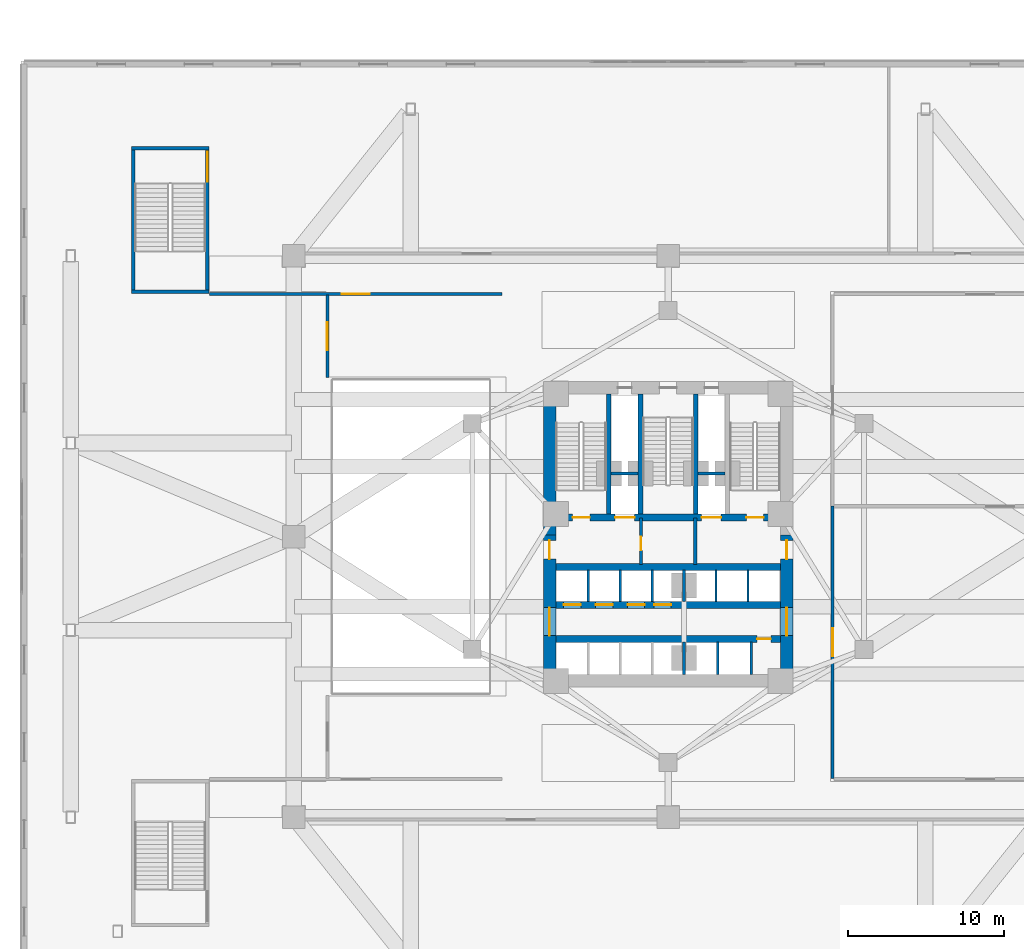
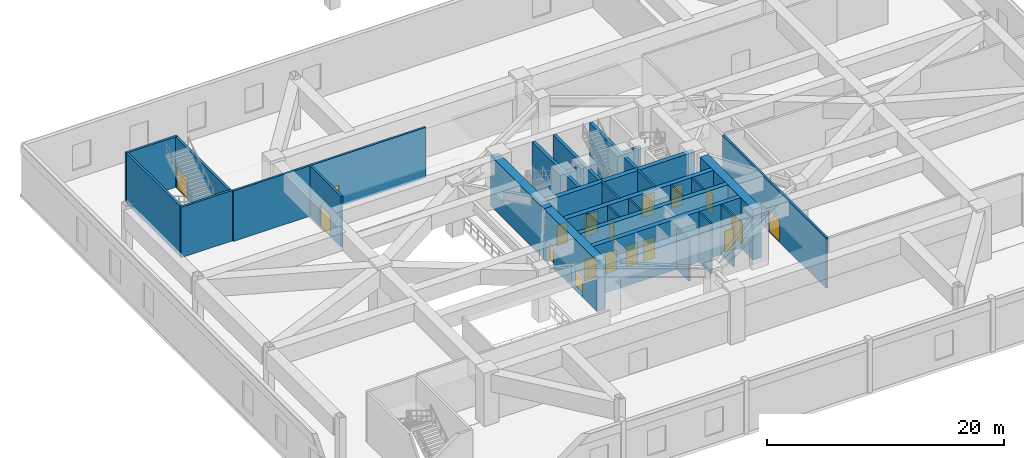
# One storey, part 11 of 23: 30 walls, 18 doors, 18 openings.
"""IFC4 building model written with IfcOpenShell, lengths in metres."""

from ifc_helpers import new_model, si_unit, direction, frame, frame_2d, origin, place, context, subcontext, project, spatial, rectangle, extrude, material, layer, layer_set, type_object, element, fill, save


model = new_model("IFC4")

# Units and contexts
model_context = context("Model", 3, precision=1e-05, world=origin(), true_north=direction((0.0, 1.0)))
body_context = subcontext(model_context, "Body", "Model", "MODEL_VIEW")
ifc_project = project(units=[si_unit("LENGTHUNIT", "METRE"), si_unit("AREAUNIT", "SQUARE_METRE"), si_unit("VOLUMEUNIT", "CUBIC_METRE"), si_unit("PLANEANGLEUNIT", "RADIAN"), si_unit("MASSUNIT", "GRAM", prefix="KILO")], contexts=[model_context])

# Site, building, storey
site_placement = place(None, origin())
site = spatial("IfcSite", under=ifc_project, at=site_placement, CompositionType="ELEMENT")
building_placement = place(site_placement, origin())
building = spatial("IfcBuilding", under=site, at=building_placement, Name="Apsidion Concourse Tower", CompositionType="ELEMENT")
storey_placement = place(building_placement, frame((0.0, 0.0, 6.0)))
storey = spatial("IfcBuildingStorey", under=building, at=storey_placement, Name="L01", CompositionType="ELEMENT", Elevation=6.0)

# Walls
ifc_material_1 = material(Name="Gypsum plasterboard partition")
ifc_layer_1 = layer(ifc_material_1, 0.14990234375)
ifc_layer_set_1 = layer_set([ifc_layer_1], Name="Gypsum plasterboard partition")
wall_type_1 = type_object("IfcWallType", Name="WL-INT-PAR-150", PredefinedType="PARTITIONING", material=ifc_layer_set_1)
for number, where, z_axis, x_axis, name in (
    (1, (-5.125, -4.179931640625, 0.0), (0.0, 0.0, 1.0), (0.0, 1.0, 0.0), "L01 Interior Partition WL-L01-B1DIV-1"),
    (2, (-3.074951171875, -4.179931640625, 0.0), (0.0, 0.0, 1.0), (0.0, 1.0, 0.0), "L01 Interior Partition WL-L01-B1DIV-2"),
    (3, (-1.02490234375, -4.179931640625, 0.0), (0.0, 0.0, 1.0), (0.0, 1.0, 0.0), "L01 Interior Partition WL-L01-B1DIV-3"),
    (4, (3.074951171875, -4.179931640625, 0.0), (0.0, 0.0, 1.0), (0.0, 1.0, 0.0), "L01 Interior Partition WL-L01-B3DIV-1"),
    (5, (5.125, -4.179931640625, 0.0), (0.0, 0.0, 1.0), (0.0, 1.0, 0.0), "L01 Interior Partition WL-L01-B3DIV-2"),
):
    element("IfcWall", number, at=place(storey_placement, frame(where, z_axis=z_axis, x_axis=x_axis)), inside=storey, type_object=wall_type_1, Name=name, PredefinedType="PARTITIONING", context=body_context, shape_type="SweptSolid", body=[
        extrude(rectangle(XDim=2.030029296875, YDim=0.14990234375, at=frame_2d((1.01513671875, 0.0))), origin(), (0.0, 0.0, 1.0), 5.199951171875),
    ])
wall_1_placement = place(storey_placement, frame((3.175048828125, -8.85009765625, 0.0), z_axis=(0.0, 0.0, 1.0), x_axis=(0.0, 1.0, 0.0)))
element("IfcWall", 6, at=wall_1_placement, inside=storey, type_object=wall_type_1, Name="L01 Interior Partition WL-L01-SHDIV-1", PredefinedType="PARTITIONING", context=body_context, shape_type="SweptSolid", body=[
    extrude(rectangle(XDim=2.080078125, YDim=0.14990234375, at=frame_2d((1.0400390625, 0.0))), origin(), (0.0, 0.0, 1.0), 5.199951171875),
])
ifc_layer_2 = layer(ifc_material_1, 0.179931640625)
ifc_layer_set_2 = layer_set([ifc_layer_2], Name="Gypsum plasterboard partition")
wall_type_2 = type_object("IfcWallType", Name="WL-INT-PAR-180", PredefinedType="PARTITIONING", material=ifc_layer_set_2)
wall_2_placement = place(storey_placement, frame((1.02490234375, -4.179931640625, 0.0), z_axis=(0.0, 0.0, 1.0), x_axis=(0.0, 1.0, 0.0)))
element("IfcWall", 7, at=wall_2_placement, inside=storey, type_object=wall_type_2, Name="L01 Interior Partition WL-L01-B1END", PredefinedType="PARTITIONING", context=body_context, shape_type="SweptSolid", body=[
    extrude(rectangle(XDim=2.030029296875, YDim=0.179931640625, at=frame_2d((1.01513671875, 0.0))), origin(), (0.0, 0.0, 1.0), 4.248046875),
])
wall_3_placement = place(storey_placement, frame((1.02490234375, -8.85009765625, 0.0), z_axis=(0.0, 0.0, 1.0), x_axis=(0.0, 1.0, 0.0)))
element("IfcWall", 8, at=wall_3_placement, inside=storey, type_object=wall_type_2, Name="L01 Interior Partition WL-L01-B2END", PredefinedType="PARTITIONING", context=body_context, shape_type="SweptSolid", body=[
    extrude(rectangle(XDim=2.080078125, YDim=0.179931640625, at=frame_2d((1.0400390625, 0.0))), origin(), (0.0, 0.0, 1.0), 4.248046875),
])
wall_4_placement = place(storey_placement, frame((5.324951171875, -8.85009765625, 0.0), z_axis=(0.0, 0.0, 1.0), x_axis=(0.0, 1.0, 0.0)))
element("IfcWall", 9, at=wall_4_placement, inside=storey, type_object=wall_type_2, Name="L01 Interior Partition WL-L01-SHDIV-2", PredefinedType="PARTITIONING", context=body_context, shape_type="SweptSolid", body=[
    extrude(rectangle(XDim=2.080078125, YDim=0.179931640625, at=frame_2d((1.0400390625, 0.0))), origin(), (0.0, 0.0, 1.0), 5.199951171875),
])
ifc_layer_3 = layer(ifc_material_1, 0.199951171875)
ifc_layer_set_3 = layer_set([ifc_layer_3], Name="Gypsum plasterboard partition")
wall_type_3 = type_object("IfcWallType", Name="WL-INT-PAR-200", PredefinedType="PARTITIONING", material=ifc_layer_set_3)
for number, where, z_axis, x_axis, name in (
    (10, (-3.64990234375, 4.050048828125, 0.0), (0.0, 0.0, 1.0), (1.0, 0.0, 0.0), "L01 Interior Partition WL-L01-FF1-N"),
    (11, (1.919921875, 4.050048828125, 0.0), (0.0, 0.0, 1.0), (1.0, 0.0, 0.0), "L01 Interior Partition WL-L01-FF2-N"),
):
    element("IfcWall", number, at=place(storey_placement, frame(where, z_axis=z_axis, x_axis=x_axis)), inside=storey, type_object=wall_type_3, Name=name, PredefinedType="PARTITIONING", context=body_context, shape_type="SweptSolid", body=[
        extrude(rectangle(XDim=1.72998046875, YDim=0.199951171875, at=frame_2d((0.864990234375, 0.0))), origin(), (0.0, 0.0, 1.0), 5.199951171875),
    ])

# Wall, opening, door
wall_5_placement = place(storey_placement, frame((-1.739990234375, -1.780029296875, 0.0), z_axis=(0.0, 0.0, 1.0), x_axis=(0.0, 1.0, 0.0)))
wall_5 = element("IfcWall", 12, at=wall_5_placement, inside=storey, type_object=wall_type_3, Name="L01 Interior Partition WL-L01-FF1-E", PredefinedType="PARTITIONING", context=body_context, shape_type="SweptSolid", body=[
    extrude(rectangle(XDim=2.97998046875, YDim=0.199951171875, at=frame_2d((1.489990234375, 0.0))), origin(), (0.0, 0.0, 1.0), 5.199951171875),
])
opening_1_placement = place(wall_5_placement, frame((0.889892578125, 0.0, 0.0)))
opening_1 = element("IfcOpeningElement", 13, at=opening_1_placement, cuts=wall_5, Name="Opening D-05R", PredefinedType="OPENING", context=body_context, shape_type="SweptSolid", body=[
    extrude(rectangle(XDim=0.8798828125, YDim=2.14990234375, at=frame_2d((0.43994140625, 1.074951171875))), frame((0.0, 0.10986328125, 0.0), z_axis=(0.0, -1.0, 0.0), x_axis=(1.0, 0.0, 0.0)), (0.0, 0.0, 1.0), 0.219970703125),
])
ifc_material_2 = material(Name="Brushed stainless steel 316", Category="steel")
door_type_1 = type_object("IfcDoorType", Name="DR-INT-D05R", OperationType="SINGLE_SWING_RIGHT", PredefinedType="DOOR", material=ifc_material_2)
door_1_placement = place(opening_1_placement, origin())
door_1 = element("IfcDoor", 14, at=door_1_placement, inside=storey, type_object=door_type_1, Name="L01 Core BMS Door", OperationType="SINGLE_SWING_RIGHT", OverallHeight=2.14990234375, OverallWidth=0.8798828125, PredefinedType="DOOR", context=body_context, shape_type="SweptSolid", body=[
    extrude(rectangle(XDim=0.8798828125, YDim=2.14990234375, at=frame_2d((0.43994140625, 1.074951171875))), frame((0.0, 0.02490234375, 0.0), z_axis=(0.0, -1.0, 0.0), x_axis=(1.0, 0.0, 0.0)), (0.0, 0.0, 1.0), 0.050048828125),
])
fill(opening_1, door_1)

# Wall
wall_6_placement = place(storey_placement, frame((1.739990234375, -1.780029296875, 0.0), z_axis=(0.0, 0.0, 1.0), x_axis=(0.0, 1.0, 0.0)))
element("IfcWall", 15, at=wall_6_placement, inside=storey, type_object=wall_type_3, Name="L01 Interior Partition WL-L01-FF2-W", PredefinedType="PARTITIONING", context=body_context, shape_type="SweptSolid", body=[
    extrude(rectangle(XDim=2.97998046875, YDim=0.199951171875, at=frame_2d((1.489990234375, 0.0))), origin(), (0.0, 0.0, 1.0), 5.199951171875),
])

# Wall, opening, door
wall_7_placement = place(storey_placement, frame((-21.85009765625, 10.199951171875, 0.0), z_axis=(0.0, 0.0, 1.0), x_axis=(0.0, 1.0, 0.0)))
wall_7 = element("IfcWall", 16, at=wall_7_placement, inside=storey, type_object=wall_type_3, Name="L01 Interior Partition WL-L01-W2", PredefinedType="PARTITIONING", context=body_context, shape_type="SweptSolid", body=[
    extrude(rectangle(XDim=5.300048828125, YDim=0.199951171875, at=frame_2d((2.64990234375, 0.0))), origin(), (0.0, 0.0, 1.0), 5.199951171875),
])
opening_2_placement = place(wall_7_placement, frame((1.75, 0.0, 0.0)))
opening_2 = element("IfcOpeningElement", 17, at=opening_2_placement, cuts=wall_7, Name="Opening D-06D", PredefinedType="OPENING", context=body_context, shape_type="SweptSolid", body=[
    extrude(rectangle(XDim=1.800048828125, YDim=2.199951171875, at=frame_2d((0.89990234375, 1.10009765625))), frame((0.0, 0.10986328125, 0.0), z_axis=(0.0, -1.0, 0.0), x_axis=(1.0, 0.0, 0.0)), (0.0, 0.0, 1.0), 0.219970703125),
])
door_type_2 = type_object("IfcDoorType", Name="DR-INT-D06D", OperationType="DOUBLE_DOOR_SINGLE_SWING", PredefinedType="DOOR", material=ifc_material_2)
door_2_placement = place(opening_2_placement, origin())
door_2 = element("IfcDoor", 18, at=door_2_placement, inside=storey, type_object=door_type_2, Name="L01 Convention Door WL-L01-W2", OperationType="DOUBLE_DOOR_SINGLE_SWING", OverallHeight=2.199951171875, OverallWidth=1.800048828125, PredefinedType="DOOR", context=body_context, shape_type="SweptSolid", body=[
    extrude(rectangle(XDim=1.800048828125, YDim=2.199951171875, at=frame_2d((0.89990234375, 1.10009765625))), frame((0.0, 0.02490234375, 0.0), z_axis=(0.0, -1.0, 0.0), x_axis=(1.0, 0.0, 0.0)), (0.0, 0.0, 1.0), 0.050048828125),
])
fill(opening_2, door_2)

wall_8_placement = place(storey_placement, frame((10.550048828125, -15.5, 0.0), z_axis=(0.0, 0.0, 1.0), x_axis=(0.0, 1.0, 0.0)))
wall_8 = element("IfcWall", 19, at=wall_8_placement, inside=storey, type_object=wall_type_3, Name="L01 Interior Partition WL-L01-E1", PredefinedType="PARTITIONING", context=body_context, shape_type="SweptSolid", body=[
    extrude(rectangle(XDim=17.449951171875, YDim=0.199951171875, at=frame_2d((8.72509765625, 0.0))), origin(), (0.0, 0.0, 1.0), 5.199951171875),
])
opening_3_placement = place(wall_8_placement, frame((7.824951171875, 0.0, 0.0)))
opening_3 = element("IfcOpeningElement", 20, at=opening_3_placement, cuts=wall_8, Name="Opening D-06D", PredefinedType="OPENING", context=body_context, shape_type="SweptSolid", body=[
    extrude(rectangle(XDim=1.800048828125, YDim=2.199951171875, at=frame_2d((0.89990234375, 1.10009765625))), frame((0.0, 0.10986328125, 0.0), z_axis=(0.0, -1.0, 0.0), x_axis=(1.0, 0.0, 0.0)), (0.0, 0.0, 1.0), 0.219970703125),
])
door_3_placement = place(opening_3_placement, origin())
door_3 = element("IfcDoor", 21, at=door_3_placement, inside=storey, type_object=door_type_2, Name="L01 Convention Door WL-L01-E1", OperationType="DOUBLE_DOOR_SINGLE_SWING", OverallHeight=2.199951171875, OverallWidth=1.800048828125, PredefinedType="DOOR", context=body_context, shape_type="SweptSolid", body=[
    extrude(rectangle(XDim=1.800048828125, YDim=2.199951171875, at=frame_2d((0.89990234375, 1.10009765625))), frame((0.0, 0.02490234375, 0.0), z_axis=(0.0, -1.0, 0.0), x_axis=(1.0, 0.0, 0.0)), (0.0, 0.0, 1.0), 0.050048828125),
])
fill(opening_3, door_3)

wall_9_placement = place(storey_placement, frame((-29.39990234375, 15.550048828125, 0.0), z_axis=(0.0, 0.0, 1.0), x_axis=(1.0, 0.0, 0.0)))
wall_9 = element("IfcWall", 22, at=wall_9_placement, inside=storey, type_object=wall_type_3, Name="L01 Interior Partition WL-L01-N1", PredefinedType="PARTITIONING", context=body_context, shape_type="SweptSolid", body=[
    extrude(rectangle(XDim=18.75, YDim=0.199951171875, at=frame_2d((9.375, 0.0))), origin(), (0.0, 0.0, 1.0), 5.199951171875),
])
opening_4_placement = place(wall_9_placement, frame((8.47509765625, 0.0, 0.0)))
opening_4 = element("IfcOpeningElement", 23, at=opening_4_placement, cuts=wall_9, Name="Opening D-06D", PredefinedType="OPENING", context=body_context, shape_type="SweptSolid", body=[
    extrude(rectangle(XDim=1.800048828125, YDim=2.199951171875, at=frame_2d((0.89990234375, 1.10009765625))), frame((0.0, 0.10986328125, 0.0), z_axis=(0.0, -1.0, 0.0), x_axis=(1.0, 0.0, 0.0)), (0.0, 0.0, 1.0), 0.219970703125),
])
door_4_placement = place(opening_4_placement, origin())
door_4 = element("IfcDoor", 24, at=door_4_placement, inside=storey, type_object=door_type_2, Name="L01 Convention Door WL-L01-N1", OperationType="DOUBLE_DOOR_SINGLE_SWING", OverallHeight=2.199951171875, OverallWidth=1.800048828125, PredefinedType="DOOR", context=body_context, shape_type="SweptSolid", body=[
    extrude(rectangle(XDim=1.800048828125, YDim=2.199951171875, at=frame_2d((0.89990234375, 1.10009765625))), frame((0.0, 0.02490234375, 0.0), z_axis=(0.0, -1.0, 0.0), x_axis=(1.0, 0.0, 0.0)), (0.0, 0.0, 1.0), 0.050048828125),
])
fill(opening_4, door_4)

# Walls
ifc_material_3 = material(Name="Concrete C50/60", Category="concrete")
ifc_layer_4 = layer(ifc_material_3, 0.219970703125)
ifc_layer_set_4 = layer_set([ifc_layer_4], Name="Concrete C50/60")
wall_type_4 = type_object("IfcWallType", Name="WL-SH-220", PredefinedType="SHEAR", material=ifc_layer_set_4)
for number, where, z_axis, x_axis, name in (
    (25, (-34.419921875, 15.68994140625, 0.0), (0.0, 0.0, 1.0), (1.0, 0.0, 0.0), "L01 Podium Stair ST-P3 Core Shear Wall S"),
    (26, (-34.419921875, 24.909912109375, 0.0), (0.0, 0.0, 1.0), (1.0, 0.0, 0.0), "L01 Podium Stair ST-P3 Core Shear Wall N"),
):
    element("IfcWall", number, at=place(storey_placement, frame(where, z_axis=z_axis, x_axis=x_axis)), inside=storey, type_object=wall_type_4, Name=name, PredefinedType="SHEAR", context=body_context, shape_type="SweptSolid", body=[
        extrude(rectangle(XDim=4.989990234375, YDim=0.219970703125, at=frame_2d((2.4951171875, 0.0))), origin(), (0.0, 0.0, 1.0), 5.199951171875),
    ])
wall_10_placement = place(storey_placement, frame((-34.31005859375, 15.800048828125, 0.0), z_axis=(0.0, 0.0, 1.0), x_axis=(0.0, 1.0, 0.0)))
element("IfcWall", 27, at=wall_10_placement, inside=storey, type_object=wall_type_4, Name="L01 Podium Stair ST-P3 Core Shear Wall W", PredefinedType="SHEAR", context=body_context, shape_type="SweptSolid", body=[
    extrude(rectangle(XDim=9.0, YDim=0.219970703125, at=frame_2d((4.5, 0.0))), origin(), (0.0, 0.0, 1.0), 5.199951171875),
])

# Wall, opening, door
wall_11_placement = place(storey_placement, frame((-29.5400390625, 15.800048828125, 0.0), z_axis=(0.0, 0.0, 1.0), x_axis=(0.0, 1.0, 0.0)))
wall_11 = element("IfcWall", 28, at=wall_11_placement, inside=storey, type_object=wall_type_4, Name="L01 Podium Stair ST-P3 Core Shear Wall E", PredefinedType="SHEAR", context=body_context, shape_type="SweptSolid", body=[
    extrude(rectangle(XDim=9.0, YDim=0.219970703125, at=frame_2d((4.5, 0.0))), origin(), (0.0, 0.0, 1.0), 5.199951171875),
])
opening_5_placement = place(wall_11_placement, frame((6.9599609375, 0.0, 0.0)))
opening_5 = element("IfcOpeningElement", 29, at=opening_5_placement, cuts=wall_11, Name="Opening D-07D", PredefinedType="OPENING", context=body_context, shape_type="SweptSolid", body=[
    extrude(rectangle(XDim=1.89990234375, YDim=2.199951171875, at=frame_2d((0.949951171875, 1.10009765625))), frame((0.0, 0.1201171875, 0.0), z_axis=(0.0, -1.0, 0.0), x_axis=(1.0, 0.0, 0.0)), (0.0, 0.0, 1.0), 0.239990234375),
])
door_type_3 = type_object("IfcDoorType", Name="DR-INT-D07D", OperationType="DOUBLE_DOOR_SINGLE_SWING", PredefinedType="DOOR", material=ifc_material_2)
door_5_placement = place(opening_5_placement, origin())
door_5 = element("IfcDoor", 30, at=door_5_placement, inside=storey, type_object=door_type_3, Name="L01 Podium Exit Stair ST-P3 Entry Door", OperationType="DOUBLE_DOOR_SINGLE_SWING", OverallHeight=2.199951171875, OverallWidth=1.89990234375, PredefinedType="DOOR", context=body_context, shape_type="SweptSolid", body=[
    extrude(rectangle(XDim=1.89990234375, YDim=2.199951171875, at=frame_2d((0.949951171875, 1.10009765625))), frame((0.0, 0.02490234375, 0.0), z_axis=(0.0, -1.0, 0.0), x_axis=(1.0, 0.0, 0.0)), (0.0, 0.0, 1.0), 0.050048828125),
])
fill(opening_5, door_5)

# Walls
ifc_layer_5 = layer(ifc_material_3, 0.300048828125)
ifc_layer_set_5 = layer_set([ifc_layer_5], Name="Concrete C50/60")
wall_type_5 = type_object("IfcWallType", Name="WL-SH-300", PredefinedType="SHEAR", material=ifc_layer_set_5)
for number, where, z_axis, x_axis, name in (
    (31, (-3.800048828125, 1.449951171875, 0.0), (0.0, 0.0, 1.0), (0.0, 1.0, 0.0), "L01 Central Core Shear Wall V1"),
    (32, (-1.77490234375, 1.449951171875, 0.0), (0.0, 0.0, 1.0), (0.0, 1.0, 0.0), "L01 Central Core Shear Wall V2"),
    (33, (1.77490234375, 1.449951171875, 0.0), (0.0, 0.0, 1.0), (0.0, 1.0, 0.0), "L01 Central Core Shear Wall V3"),
):
    element("IfcWall", number, at=place(storey_placement, frame(where, z_axis=z_axis, x_axis=x_axis)), inside=storey, type_object=wall_type_5, Name=name, PredefinedType="SHEAR", context=body_context, shape_type="SweptSolid", body=[
        extrude(rectangle(XDim=7.699951171875, YDim=0.300048828125, at=frame_2d((3.85009765625, 0.0))), origin(), (0.0, 0.0, 1.0), 5.199951171875),
    ])

# Wall, openings, doors
ifc_material_4 = material(Name="Concrete C60/75", Category="concrete")
ifc_layer_6 = layer(ifc_material_4, 0.449951171875)
ifc_layer_set_6 = layer_set([ifc_layer_6], Name="Concrete C60/75")
wall_type_6 = type_object("IfcWallType", Name="WL-SH-450", PredefinedType="SHEAR", material=ifc_layer_set_6)
wall_12_placement = place(storey_placement, frame((-7.199951171875, 1.22509765625, 0.0), z_axis=(0.0, 0.0, 1.0), x_axis=(1.0, 0.0, 0.0)))
wall_12 = element("IfcWall", 34, at=wall_12_placement, inside=storey, type_object=wall_type_6, Name="L01 Central Core Shear Wall M1", PredefinedType="SHEAR", context=body_context, shape_type="SweptSolid", body=[
    extrude(rectangle(XDim=14.39990234375, YDim=0.449951171875, at=frame_2d((7.199951171875, 0.0))), origin(), (0.0, 0.0, 1.0), 5.199951171875),
])
opening_6_placement = place(wall_12_placement, frame((3.794921875, 0.0, 0.0)))
opening_6 = element("IfcOpeningElement", 35, at=opening_6_placement, cuts=wall_12, Name="Opening LD-FF", PredefinedType="OPENING", context=body_context, shape_type="SweptSolid", body=[
    extrude(rectangle(XDim=1.25, YDim=2.25, at=frame_2d((0.625, 1.125))), frame((0.0, 0.23486328125, 0.0), z_axis=(0.0, -1.0, 0.0), x_axis=(1.0, 0.0, 0.0)), (0.0, 0.0, 1.0), 0.469970703125),
])
opening_7_placement = place(wall_12_placement, frame((9.35498046875, 0.0, 0.0)))
opening_7 = element("IfcOpeningElement", 36, at=opening_7_placement, cuts=wall_12, Name="Opening LD-FF", PredefinedType="OPENING", context=body_context, shape_type="SweptSolid", body=[
    extrude(rectangle(XDim=1.25, YDim=2.25, at=frame_2d((0.625, 1.125))), frame((0.0, 0.23486328125, 0.0), z_axis=(0.0, -1.0, 0.0), x_axis=(1.0, 0.0, 0.0)), (0.0, 0.0, 1.0), 0.469970703125),
])
opening_8_placement = place(wall_12_placement, frame((1.074951171875, 0.0, 0.0)))
opening_8 = element("IfcOpeningElement", 37, at=opening_8_placement, cuts=wall_12, Name="Opening D-STL", PredefinedType="OPENING", context=body_context, shape_type="SweptSolid", body=[
    extrude(rectangle(XDim=1.10009765625, YDim=2.14990234375, at=frame_2d((0.550048828125, 1.074951171875))), frame((0.0, 0.23486328125, 0.0), z_axis=(0.0, -1.0, 0.0), x_axis=(1.0, 0.0, 0.0)), (0.0, 0.0, 1.0), 0.469970703125),
])
opening_9_placement = place(wall_12_placement, frame((12.22509765625, 0.0, 0.0)))
opening_9 = element("IfcOpeningElement", 38, at=opening_9_placement, cuts=wall_12, Name="Opening D-STR", PredefinedType="OPENING", context=body_context, shape_type="SweptSolid", body=[
    extrude(rectangle(XDim=1.10009765625, YDim=2.14990234375, at=frame_2d((0.550048828125, 1.074951171875))), frame((0.0, 0.23486328125, 0.0), z_axis=(0.0, -1.0, 0.0), x_axis=(1.0, 0.0, 0.0)), (0.0, 0.0, 1.0), 0.469970703125),
])
door_type_4 = type_object("IfcDoorType", Name="DR-INT-ST1L", OperationType="SINGLE_SWING_LEFT", PredefinedType="DOOR", material=ifc_material_2)
door_6_placement = place(opening_8_placement, origin())
door_6 = element("IfcDoor", 39, at=door_6_placement, inside=storey, type_object=door_type_4, Name="L01 Core Exit Stair ST1 Door", OperationType="SINGLE_SWING_LEFT", OverallHeight=2.14990234375, OverallWidth=1.10009765625, PredefinedType="DOOR", context=body_context, shape_type="SweptSolid", body=[
    extrude(rectangle(XDim=1.10009765625, YDim=2.14990234375, at=frame_2d((0.550048828125, 1.074951171875))), frame((0.0, 0.02490234375, 0.0), z_axis=(0.0, -1.0, 0.0), x_axis=(1.0, 0.0, 0.0)), (0.0, 0.0, 1.0), 0.050048828125),
])
fill(opening_8, door_6)
door_type_5 = type_object("IfcDoorType", Name="DR-INT-ST1R", OperationType="SINGLE_SWING_RIGHT", PredefinedType="DOOR", material=ifc_material_2)
door_7_placement = place(opening_9_placement, origin())
door_7 = element("IfcDoor", 40, at=door_7_placement, inside=storey, type_object=door_type_5, Name="L01 Core Exit Stair ST2 Door", OperationType="SINGLE_SWING_RIGHT", OverallHeight=2.14990234375, OverallWidth=1.10009765625, PredefinedType="DOOR", context=body_context, shape_type="SweptSolid", body=[
    extrude(rectangle(XDim=1.10009765625, YDim=2.14990234375, at=frame_2d((0.550048828125, 1.074951171875))), frame((0.0, 0.02490234375, 0.0), z_axis=(0.0, -1.0, 0.0), x_axis=(1.0, 0.0, 0.0)), (0.0, 0.0, 1.0), 0.050048828125),
])
fill(opening_9, door_7)
door_type_6 = type_object("IfcDoorType", Name="DR-LD-FSAE", OperationType="DOUBLE_DOOR_SLIDING", PredefinedType="DOOR", material=ifc_material_2)
door_8_placement = place(opening_6_placement, origin())
door_8 = element("IfcDoor", 41, at=door_8_placement, inside=storey, type_object=door_type_6, Name="L01 Lift Landing Door FF1", OperationType="DOUBLE_DOOR_SLIDING", OverallHeight=2.25, OverallWidth=1.25, PredefinedType="DOOR", context=body_context, shape_type="SweptSolid", body=[
    extrude(rectangle(XDim=1.25, YDim=2.25, at=frame_2d((0.625, 1.125))), frame((0.0, 0.02490234375, 0.0), z_axis=(0.0, -1.0, 0.0), x_axis=(1.0, 0.0, 0.0)), (0.0, 0.0, 1.0), 0.050048828125),
])
fill(opening_6, door_8)
door_9_placement = place(opening_7_placement, origin())
door_9 = element("IfcDoor", 42, at=door_9_placement, inside=storey, type_object=door_type_6, Name="L01 Lift Landing Door FF2", OperationType="DOUBLE_DOOR_SLIDING", OverallHeight=2.25, OverallWidth=1.25, PredefinedType="DOOR", context=body_context, shape_type="SweptSolid", body=[
    extrude(rectangle(XDim=1.25, YDim=2.25, at=frame_2d((0.625, 1.125))), frame((0.0, 0.02490234375, 0.0), z_axis=(0.0, -1.0, 0.0), x_axis=(1.0, 0.0, 0.0)), (0.0, 0.0, 1.0), 0.050048828125),
])
fill(opening_7, door_9)

# Wall
wall_13_placement = place(storey_placement, frame((-7.199951171875, -1.949951171875, 0.0), z_axis=(0.0, 0.0, 1.0), x_axis=(1.0, 0.0, 0.0)))
element("IfcWall", 43, at=wall_13_placement, inside=storey, type_object=wall_type_6, Name="L01 Central Core Shear Wall M2", PredefinedType="SHEAR", context=body_context, shape_type="SweptSolid", body=[
    extrude(rectangle(XDim=14.39990234375, YDim=0.449951171875, at=frame_2d((7.199951171875, 0.0))), origin(), (0.0, 0.0, 1.0), 5.199951171875),
])

# Wall, openings, doors
wall_14_placement = place(storey_placement, frame((-7.199951171875, -4.3798828125, 0.0), z_axis=(0.0, 0.0, 1.0), x_axis=(1.0, 0.0, 0.0)))
wall_14 = element("IfcWall", 44, at=wall_14_placement, inside=storey, type_object=wall_type_6, Name="L01 Central Core Shear Wall LA", PredefinedType="SHEAR", context=body_context, shape_type="SweptSolid", body=[
    extrude(rectangle(XDim=14.39990234375, YDim=0.449951171875, at=frame_2d((7.199951171875, 0.0))), origin(), (0.0, 0.0, 1.0), 5.199951171875),
])
opening_10_placement = place(wall_14_placement, frame((0.5, 0.0, 0.0)))
opening_10 = element("IfcOpeningElement", 45, at=opening_10_placement, cuts=wall_14, Name="Opening LD-P1", PredefinedType="OPENING", context=body_context, shape_type="SweptSolid", body=[
    extrude(rectangle(XDim=1.10009765625, YDim=2.199951171875, at=frame_2d((0.550048828125, 1.10009765625))), frame((0.0, 0.23486328125, 0.0), z_axis=(0.0, -1.0, 0.0), x_axis=(1.0, 0.0, 0.0)), (0.0, 0.0, 1.0), 0.469970703125),
])
opening_11_placement = place(wall_14_placement, frame((2.550048828125, 0.0, 0.0)))
opening_11 = element("IfcOpeningElement", 46, at=opening_11_placement, cuts=wall_14, Name="Opening LD-P1", PredefinedType="OPENING", context=body_context, shape_type="SweptSolid", body=[
    extrude(rectangle(XDim=1.10009765625, YDim=2.199951171875, at=frame_2d((0.550048828125, 1.10009765625))), frame((0.0, 0.23486328125, 0.0), z_axis=(0.0, -1.0, 0.0), x_axis=(1.0, 0.0, 0.0)), (0.0, 0.0, 1.0), 0.469970703125),
])
opening_12_placement = place(wall_14_placement, frame((4.60009765625, 0.0, 0.0)))
opening_12 = element("IfcOpeningElement", 47, at=opening_12_placement, cuts=wall_14, Name="Opening LD-P1", PredefinedType="OPENING", context=body_context, shape_type="SweptSolid", body=[
    extrude(rectangle(XDim=1.10009765625, YDim=2.199951171875, at=frame_2d((0.550048828125, 1.10009765625))), frame((0.0, 0.23486328125, 0.0), z_axis=(0.0, -1.0, 0.0), x_axis=(1.0, 0.0, 0.0)), (0.0, 0.0, 1.0), 0.469970703125),
])
opening_13_placement = place(wall_14_placement, frame((6.300048828125, 0.0, 0.0)))
opening_13 = element("IfcOpeningElement", 48, at=opening_13_placement, cuts=wall_14, Name="Opening LD-P1", PredefinedType="OPENING", context=body_context, shape_type="SweptSolid", body=[
    extrude(rectangle(XDim=1.10009765625, YDim=2.199951171875, at=frame_2d((0.550048828125, 1.10009765625))), frame((0.0, 0.23486328125, 0.0), z_axis=(0.0, -1.0, 0.0), x_axis=(1.0, 0.0, 0.0)), (0.0, 0.0, 1.0), 0.469970703125),
])
door_type_7 = type_object("IfcDoorType", Name="DR-LD-PASS", OperationType="DOUBLE_DOOR_SLIDING", PredefinedType="DOOR", material=ifc_material_2)
door_10_placement = place(opening_10_placement, origin())
door_10 = element("IfcDoor", 49, at=door_10_placement, inside=storey, type_object=door_type_7, Name="L01 Lift Landing Door P1", OperationType="DOUBLE_DOOR_SLIDING", OverallHeight=2.199951171875, OverallWidth=1.10009765625, PredefinedType="DOOR", context=body_context, shape_type="SweptSolid", body=[
    extrude(rectangle(XDim=1.10009765625, YDim=2.199951171875, at=frame_2d((0.550048828125, 1.10009765625))), frame((0.0, 0.02490234375, 0.0), z_axis=(0.0, -1.0, 0.0), x_axis=(1.0, 0.0, 0.0)), (0.0, 0.0, 1.0), 0.050048828125),
])
fill(opening_10, door_10)
door_11_placement = place(opening_11_placement, origin())
door_11 = element("IfcDoor", 50, at=door_11_placement, inside=storey, type_object=door_type_7, Name="L01 Lift Landing Door P2", OperationType="DOUBLE_DOOR_SLIDING", OverallHeight=2.199951171875, OverallWidth=1.10009765625, PredefinedType="DOOR", context=body_context, shape_type="SweptSolid", body=[
    extrude(rectangle(XDim=1.10009765625, YDim=2.199951171875, at=frame_2d((0.550048828125, 1.10009765625))), frame((0.0, 0.02490234375, 0.0), z_axis=(0.0, -1.0, 0.0), x_axis=(1.0, 0.0, 0.0)), (0.0, 0.0, 1.0), 0.050048828125),
])
fill(opening_11, door_11)
door_12_placement = place(opening_12_placement, origin())
door_12 = element("IfcDoor", 51, at=door_12_placement, inside=storey, type_object=door_type_7, Name="L01 Lift Landing Door P3", OperationType="DOUBLE_DOOR_SLIDING", OverallHeight=2.199951171875, OverallWidth=1.10009765625, PredefinedType="DOOR", context=body_context, shape_type="SweptSolid", body=[
    extrude(rectangle(XDim=1.10009765625, YDim=2.199951171875, at=frame_2d((0.550048828125, 1.10009765625))), frame((0.0, 0.02490234375, 0.0), z_axis=(0.0, -1.0, 0.0), x_axis=(1.0, 0.0, 0.0)), (0.0, 0.0, 1.0), 0.050048828125),
])
fill(opening_12, door_12)
door_13_placement = place(opening_13_placement, origin())
door_13 = element("IfcDoor", 52, at=door_13_placement, inside=storey, type_object=door_type_7, Name="L01 Lift Landing Door P4", OperationType="DOUBLE_DOOR_SLIDING", OverallHeight=2.199951171875, OverallWidth=1.10009765625, PredefinedType="DOOR", context=body_context, shape_type="SweptSolid", body=[
    extrude(rectangle(XDim=1.10009765625, YDim=2.199951171875, at=frame_2d((0.550048828125, 1.10009765625))), frame((0.0, 0.02490234375, 0.0), z_axis=(0.0, -1.0, 0.0), x_axis=(1.0, 0.0, 0.0)), (0.0, 0.0, 1.0), 0.050048828125),
])
fill(opening_13, door_13)

# Wall, opening, door
wall_15_placement = place(storey_placement, frame((-7.199951171875, -6.570068359375, 0.0), z_axis=(0.0, 0.0, 1.0), x_axis=(1.0, 0.0, 0.0)))
wall_15 = element("IfcWall", 53, at=wall_15_placement, inside=storey, type_object=wall_type_6, Name="L01 Central Core Shear Wall LB", PredefinedType="SHEAR", context=body_context, shape_type="SweptSolid", body=[
    extrude(rectangle(XDim=14.39990234375, YDim=0.449951171875, at=frame_2d((7.199951171875, 0.0))), origin(), (0.0, 0.0, 1.0), 5.199951171875),
])
opening_14_placement = place(wall_15_placement, frame((12.909912109375, 0.0, 0.0)))
opening_14 = element("IfcOpeningElement", 54, at=opening_14_placement, cuts=wall_15, Name="Opening D-05L", PredefinedType="OPENING", context=body_context, shape_type="SweptSolid", body=[
    extrude(rectangle(XDim=0.8798828125, YDim=2.14990234375, at=frame_2d((0.43994140625, 1.074951171875))), frame((0.0, 0.23486328125, 0.0), z_axis=(0.0, -1.0, 0.0), x_axis=(1.0, 0.0, 0.0)), (0.0, 0.0, 1.0), 0.469970703125),
])
door_type_8 = type_object("IfcDoorType", Name="DR-INT-D05L", OperationType="SINGLE_SWING_LEFT", PredefinedType="DOOR", material=ifc_material_2)
door_14_placement = place(opening_14_placement, origin())
door_14 = element("IfcDoor", 55, at=door_14_placement, inside=storey, type_object=door_type_8, Name="L01 Cleaners Store Door", OperationType="SINGLE_SWING_LEFT", OverallHeight=2.14990234375, OverallWidth=0.8798828125, PredefinedType="DOOR", context=body_context, shape_type="SweptSolid", body=[
    extrude(rectangle(XDim=0.8798828125, YDim=2.14990234375, at=frame_2d((0.43994140625, 1.074951171875))), frame((0.0, 0.02490234375, 0.0), z_axis=(0.0, -1.0, 0.0), x_axis=(1.0, 0.0, 0.0)), (0.0, 0.0, 1.0), 0.050048828125),
])
fill(opening_14, door_14)

# Wall
ifc_layer_7 = layer(ifc_material_4, 0.800048828125)
ifc_layer_set_7 = layer_set([ifc_layer_7], Name="Concrete C60/75")
wall_type_7 = type_object("IfcWallType", Name="WL-SH-800", PredefinedType="SHEAR", material=ifc_layer_set_7)
wall_16_placement = place(storey_placement, frame((-7.60009765625, 0.10009765625, 0.0), z_axis=(0.0, 0.0, 1.0), x_axis=(0.0, 1.0, 0.0)))
element("IfcWall", 56, at=wall_16_placement, inside=storey, type_object=wall_type_7, Name="L01 Central Core Shear Wall WN", PredefinedType="SHEAR", context=body_context, shape_type="SweptSolid", body=[
    extrude(rectangle(XDim=9.0498046875, YDim=0.800048828125, at=frame_2d((4.52490234375, 0.0))), origin(), (0.0, 0.0, 1.0), 5.199951171875),
])

# Wall, openings, doors
wall_17_placement = place(storey_placement, frame((-7.60009765625, -8.85009765625, 0.0), z_axis=(0.0, 0.0, 1.0), x_axis=(0.0, 1.0, 0.0)))
wall_17 = element("IfcWall", 57, at=wall_17_placement, inside=storey, type_object=wall_type_7, Name="L01 Central Core Shear Wall WS", PredefinedType="SHEAR", context=body_context, shape_type="SweptSolid", body=[
    extrude(rectangle(XDim=8.9501953125, YDim=0.800048828125, at=frame_2d((4.47509765625, 0.0))), origin(), (0.0, 0.0, 1.0), 5.199951171875),
])
opening_15_placement = place(wall_17_placement, frame((2.489990234375, 0.0, 0.0)))
opening_15 = element("IfcOpeningElement", 58, at=opening_15_placement, cuts=wall_17, Name="Opening D-06D", PredefinedType="OPENING", context=body_context, shape_type="SweptSolid", body=[
    extrude(rectangle(XDim=1.800048828125, YDim=2.199951171875, at=frame_2d((0.89990234375, 1.10009765625))), frame((0.0, 0.41015625, 0.0), z_axis=(0.0, -1.0, 0.0), x_axis=(1.0, 0.0, 0.0)), (0.0, 0.0, 1.0), 0.820068359375),
])
opening_16_placement = place(wall_17_placement, frame((7.39990234375, 0.0, 0.0)))
opening_16 = element("IfcOpeningElement", 59, at=opening_16_placement, cuts=wall_17, Name="Opening D-FFL", PredefinedType="OPENING", context=body_context, shape_type="SweptSolid", body=[
    extrude(rectangle(XDim=1.199951171875, YDim=2.14990234375, at=frame_2d((0.60009765625, 1.074951171875))), frame((0.0, 0.41015625, 0.0), z_axis=(0.0, -1.0, 0.0), x_axis=(1.0, 0.0, 0.0)), (0.0, 0.0, 1.0), 0.820068359375),
])
door_15_placement = place(opening_15_placement, origin())
door_15 = element("IfcDoor", 60, at=door_15_placement, inside=storey, type_object=door_type_2, Name="L01 Passenger Lift Lobby WS Portal Door", OperationType="DOUBLE_DOOR_SINGLE_SWING", OverallHeight=2.199951171875, OverallWidth=1.800048828125, PredefinedType="DOOR", context=body_context, shape_type="SweptSolid", body=[
    extrude(rectangle(XDim=1.800048828125, YDim=2.199951171875, at=frame_2d((0.89990234375, 1.10009765625))), frame((0.0, 0.02490234375, 0.0), z_axis=(0.0, -1.0, 0.0), x_axis=(1.0, 0.0, 0.0)), (0.0, 0.0, 1.0), 0.050048828125),
])
fill(opening_15, door_15)
door_type_9 = type_object("IfcDoorType", Name="DR-INT-FFL", OperationType="SINGLE_SWING_LEFT", PredefinedType="DOOR", material=ifc_material_2)
door_16_placement = place(opening_16_placement, origin())
door_16 = element("IfcDoor", 61, at=door_16_placement, inside=storey, type_object=door_type_9, Name="L01 Firefighting Lift Lobby FF1 Door", OperationType="SINGLE_SWING_LEFT", OverallHeight=2.14990234375, OverallWidth=1.199951171875, PredefinedType="DOOR", context=body_context, shape_type="SweptSolid", body=[
    extrude(rectangle(XDim=1.199951171875, YDim=2.14990234375, at=frame_2d((0.60009765625, 1.074951171875))), frame((0.0, 0.02490234375, 0.0), z_axis=(0.0, -1.0, 0.0), x_axis=(1.0, 0.0, 0.0)), (0.0, 0.0, 1.0), 0.050048828125),
])
fill(opening_16, door_16)

wall_18_placement = place(storey_placement, frame((7.60009765625, -8.85009765625, 0.0), z_axis=(0.0, 0.0, 1.0), x_axis=(0.0, 1.0, 0.0)))
wall_18 = element("IfcWall", 62, at=wall_18_placement, inside=storey, type_object=wall_type_7, Name="L01 Central Core Shear Wall ES", PredefinedType="SHEAR", context=body_context, shape_type="SweptSolid", body=[
    extrude(rectangle(XDim=8.9501953125, YDim=0.800048828125, at=frame_2d((4.47509765625, 0.0))), origin(), (0.0, 0.0, 1.0), 5.199951171875),
])
opening_17_placement = place(wall_18_placement, frame((2.489990234375, 0.0, 0.0)))
opening_17 = element("IfcOpeningElement", 63, at=opening_17_placement, cuts=wall_18, Name="Opening D-06D", PredefinedType="OPENING", context=body_context, shape_type="SweptSolid", body=[
    extrude(rectangle(XDim=1.800048828125, YDim=2.199951171875, at=frame_2d((0.89990234375, 1.10009765625))), frame((0.0, 0.41015625, 0.0), z_axis=(0.0, -1.0, 0.0), x_axis=(1.0, 0.0, 0.0)), (0.0, 0.0, 1.0), 0.820068359375),
])
opening_18_placement = place(wall_18_placement, frame((7.39990234375, 0.0, 0.0)))
opening_18 = element("IfcOpeningElement", 64, at=opening_18_placement, cuts=wall_18, Name="Opening D-FFR", PredefinedType="OPENING", context=body_context, shape_type="SweptSolid", body=[
    extrude(rectangle(XDim=1.199951171875, YDim=2.14990234375, at=frame_2d((0.60009765625, 1.074951171875))), frame((0.0, 0.41015625, 0.0), z_axis=(0.0, -1.0, 0.0), x_axis=(1.0, 0.0, 0.0)), (0.0, 0.0, 1.0), 0.820068359375),
])
door_17_placement = place(opening_17_placement, origin())
door_17 = element("IfcDoor", 65, at=door_17_placement, inside=storey, type_object=door_type_2, Name="L01 Passenger Lift Lobby ES Portal Door", OperationType="DOUBLE_DOOR_SINGLE_SWING", OverallHeight=2.199951171875, OverallWidth=1.800048828125, PredefinedType="DOOR", context=body_context, shape_type="SweptSolid", body=[
    extrude(rectangle(XDim=1.800048828125, YDim=2.199951171875, at=frame_2d((0.89990234375, 1.10009765625))), frame((0.0, 0.02490234375, 0.0), z_axis=(0.0, -1.0, 0.0), x_axis=(1.0, 0.0, 0.0)), (0.0, 0.0, 1.0), 0.050048828125),
])
fill(opening_17, door_17)
door_type_10 = type_object("IfcDoorType", Name="DR-INT-FFR", OperationType="SINGLE_SWING_RIGHT", PredefinedType="DOOR", material=ifc_material_2)
door_18_placement = place(opening_18_placement, origin())
door_18 = element("IfcDoor", 66, at=door_18_placement, inside=storey, type_object=door_type_10, Name="L01 Firefighting Lift Lobby FF2 Door", OperationType="SINGLE_SWING_RIGHT", OverallHeight=2.14990234375, OverallWidth=1.199951171875, PredefinedType="DOOR", context=body_context, shape_type="SweptSolid", body=[
    extrude(rectangle(XDim=1.199951171875, YDim=2.14990234375, at=frame_2d((0.60009765625, 1.074951171875))), frame((0.0, 0.02490234375, 0.0), z_axis=(0.0, -1.0, 0.0), x_axis=(1.0, 0.0, 0.0)), (0.0, 0.0, 1.0), 0.050048828125),
])
fill(opening_18, door_18)

save(model, "model.ifc")
